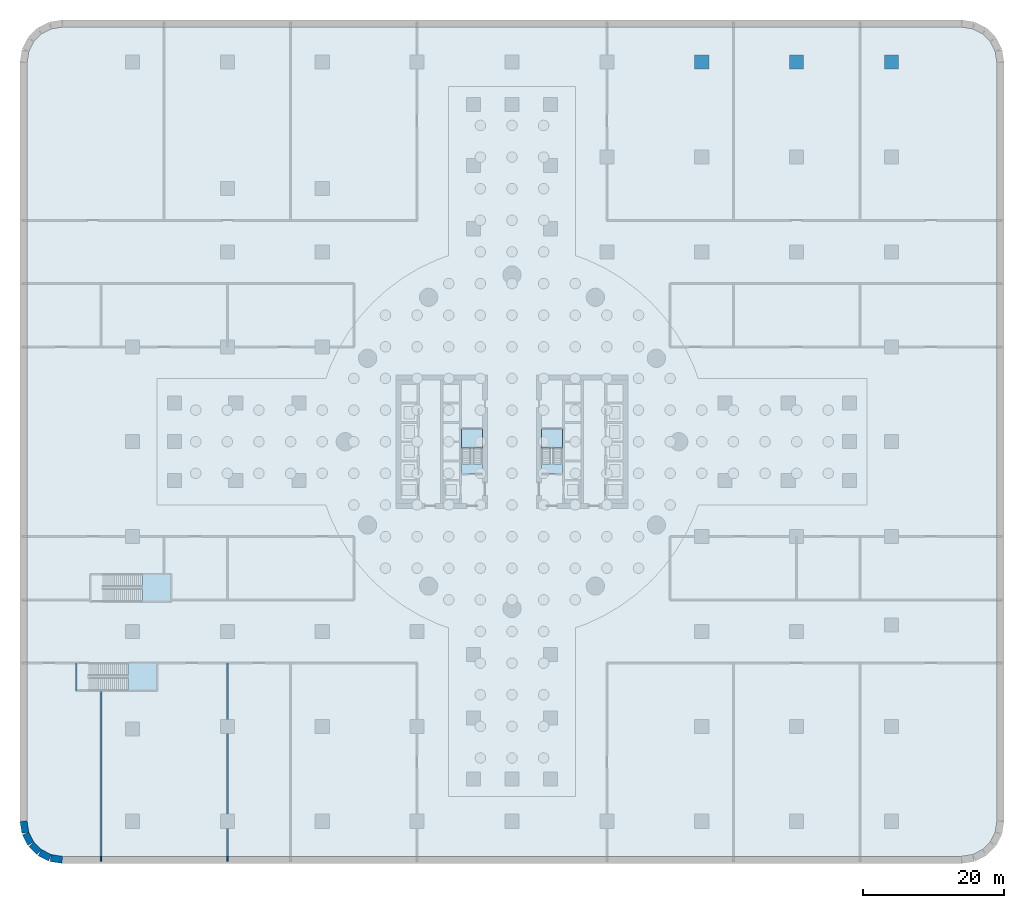
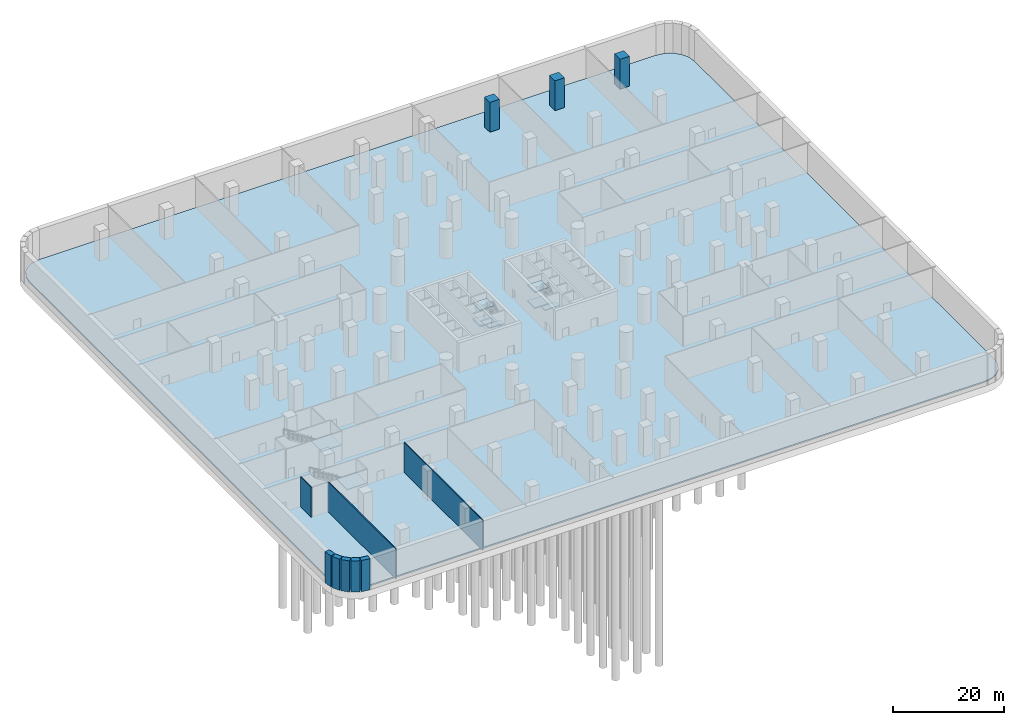
# One storey, part 2 of 13: 9 slabs, 8 walls, 3 columns, 4 elements without a shape of their own.
"""IFC4 building model written with IfcOpenShell, lengths in metres."""

import ifcopenshell
import ifcopenshell.guid

model = None  # the IFC model being written
_history = None  # IfcOwnerHistory: only IFC2X3 demands one
_inside = {}  # id of a spatial element -> (the spatial element, [elements in it])
_under = {}  # id of a project, library or spatial element -> (it, [spatial elements below it])
_declared = {}  # id of a project -> (the project, [libraries it declares])
_typed = {}  # id of a type object -> (the type object, [elements of that type])
_made_of = {}  # id of a material, layer set ... -> (it, [elements and type objects made of it])


def new_model(schema):
    """Start an empty IFC model of exactly this schema.

    Asked for "IFC4X3", IfcOpenShell would pick the latest addendum, in which some entities
    have other attributes; the version numbers below select the first issue.
    IFC2X3 requires an IfcOwnerHistory on every rooted entity: one is made here for all.
    """
    global model, _history
    if schema == "IFC4X3":
        model = ifcopenshell.file(schema_version=(4, 3, 0, 0))
    else:
        model = ifcopenshell.file(schema=schema)
    _inside.clear()
    _under.clear()
    _declared.clear()
    _typed.clear()
    _made_of.clear()
    _history = None
    if model.schema == "IFC2X3":
        org = make("IfcOrganization", Name="unknown")
        user = make(
            "IfcPersonAndOrganization",
            ThePerson=make("IfcPerson", FamilyName="unknown"),
            TheOrganization=org,
        )
        app = make(
            "IfcApplication",
            ApplicationDeveloper=org,
            Version="unknown",
            ApplicationFullName="unknown",
            ApplicationIdentifier="unknown",
        )
        _history = make(
            "IfcOwnerHistory",
            OwningUser=user,
            OwningApplication=app,
            ChangeAction="ADDED",
            CreationDate=0,
        )
    return model


def make(cls, **values):
    """One entity of the class cls with the attributes given. An attribute that is None is left unset."""
    return model.create_entity(
        cls, **{name: value for name, value in values.items() if value is not None}
    )


def rooted(cls, **values):
    """An entity with a GlobalId (a new one), such as an element, a storey or a relation."""
    return make(cls, GlobalId=ifcopenshell.guid.new(), OwnerHistory=_history, **values)


def si_unit(unit_type, name, prefix=None):
    """IfcSIUnit, for example si_unit("LENGTHUNIT", "METRE", prefix="MILLI")."""
    return make("IfcSIUnit", UnitType=unit_type, Prefix=prefix, Name=name)


def assignment(units):
    """IfcUnitAssignment: the units of a project."""
    return None if units is None else make("IfcUnitAssignment", Units=units)


def point(xyz):
    """IfcCartesianPoint."""
    return None if xyz is None else make("IfcCartesianPoint", Coordinates=xyz)


def direction(xyz):
    """IfcDirection."""
    return None if xyz is None else make("IfcDirection", DirectionRatios=xyz)


def frame(location, z_axis=None, x_axis=None):
    """IfcAxis2Placement3D, a coordinate frame: its origin and axes. An axis left out is left unset."""
    return make(
        "IfcAxis2Placement3D",
        Location=point(location),
        Axis=direction(z_axis),
        RefDirection=direction(x_axis),
    )


def frame_2d(location, x_axis=None):
    """IfcAxis2Placement2D, a coordinate frame in the plane: its origin and x axis."""
    return make(
        "IfcAxis2Placement2D", Location=point(location), RefDirection=direction(x_axis)
    )


def origin():
    """The frame at (0, 0, 0) with its axes left unset."""
    return frame((0.0, 0.0, 0.0))


def origin_2d():
    """The frame at (0, 0) in the plane with its x axis left unset."""
    return frame_2d((0.0, 0.0))


def place(relative_to, where):
    """IfcLocalPlacement: puts the frame where relative to a parent placement (None: the world)."""
    return make(
        "IfcLocalPlacement", PlacementRelTo=relative_to, RelativePlacement=where
    )


def context(
    kind, dimensions, precision=None, world=None, true_north=None, identifier=None
):
    """IfcGeometricRepresentationContext, for example the 3D "Model" context."""
    return make(
        "IfcGeometricRepresentationContext",
        ContextIdentifier=identifier,
        ContextType=kind,
        CoordinateSpaceDimension=dimensions,
        Precision=precision,
        WorldCoordinateSystem=world,
        TrueNorth=true_north,
    )


def subcontext(parent, identifier, kind, view, scale=None):
    """IfcGeometricRepresentationSubContext, for example "Body" below "Model"."""
    return make(
        "IfcGeometricRepresentationSubContext",
        ContextIdentifier=identifier,
        ContextType=kind,
        ParentContext=parent,
        TargetScale=scale,
        TargetView=view,
    )


def project(units=None, contexts=None):
    """IfcProject with its units and contexts."""
    return rooted(
        "IfcProject",
        Name="project",
        RepresentationContexts=contexts,
        UnitsInContext=assignment(units),
    )


def spatial(cls, under=None, at=None, **own):
    """A site, building, storey or space (cls), placed at a placement, below another one or the project."""
    s = rooted(cls, ObjectPlacement=at, **own)
    if under is not None:
        _under.setdefault(under.id(), (under, []))[1].append(s)
    return s


def polyline(points):
    """IfcPolyline through the points."""
    return make("IfcPolyline", Points=[point(p) for p in points])


def profile(cls, at=None, kind="AREA", **sizes):
    """A parametric profile (cls). Its sizes go by their IFC names, for example OverallWidth=200.0."""
    return make(cls, ProfileType=kind, Position=at, **sizes)


def rectangle(**sizes):
    """IfcRectangleProfileDef."""
    return profile("IfcRectangleProfileDef", **sizes)


def outline(outer, holes=None, kind="AREA"):
    """IfcArbitraryClosedProfileDef: a profile drawn as a closed curve; with holes, ...WithVoids."""
    if holes is None:
        return make("IfcArbitraryClosedProfileDef", ProfileType=kind, OuterCurve=outer)
    return make(
        "IfcArbitraryProfileDefWithVoids",
        ProfileType=kind,
        OuterCurve=outer,
        InnerCurves=holes,
    )


def extrude(swept, where, along, depth):
    """IfcExtrudedAreaSolid: the profile swept, set in the frame where, extruded along a direction by depth."""
    return make(
        "IfcExtrudedAreaSolid",
        SweptArea=swept,
        Position=where,
        ExtrudedDirection=direction(along),
        Depth=depth,
    )


def shape(context_of_items, identifier, shape_type, items):
    """IfcShapeRepresentation: the items that make up one representation, for example the "Body"."""
    return make(
        "IfcShapeRepresentation",
        ContextOfItems=context_of_items,
        RepresentationIdentifier=identifier,
        RepresentationType=shape_type,
        Items=items,
    )


def material(Name=None, Category=None):
    """IfcMaterial."""
    return make("IfcMaterial", Name=Name, Category=Category)


def layer(
    of_material, thickness, ventilated=None, Name=None, Category=None, Priority=None
):
    """IfcMaterialLayer: one layer of a wall or slab, of a material (None: an air gap)."""
    return make(
        "IfcMaterialLayer",
        Material=of_material,
        LayerThickness=thickness,
        IsVentilated=ventilated,
        Name=Name,
        Category=Category,
        Priority=Priority,
    )


def layer_set(layers, Name=None):
    """IfcMaterialLayerSet."""
    return make("IfcMaterialLayerSet", MaterialLayers=layers, LayerSetName=Name)


def material_profile(
    of_material, cross_section, Name=None, Category=None, Priority=None
):
    """IfcMaterialProfile: a cross section and its material."""
    return make(
        "IfcMaterialProfile",
        Name=Name,
        Material=of_material,
        Profile=cross_section,
        Priority=Priority,
        Category=Category,
    )


def profile_set(profiles, Name=None, composite=None):
    """IfcMaterialProfileSet."""
    return make(
        "IfcMaterialProfileSet",
        Name=Name,
        MaterialProfiles=profiles,
        CompositeProfile=composite,
    )


def made_of(thing, what):
    """Note that an element or type object is made of a material, layer set ...; save() writes the relation."""
    if what is not None:
        _made_of.setdefault(what.id(), (what, []))[1].append(thing)
    return thing


def type_object(cls, material=None, **own):
    """A type object (cls), such as IfcWallType, which elements share."""
    return made_of(rooted(cls, **own), material)


def element(
    cls,
    number,
    at=None,
    inside=None,
    cuts=None,
    type_object=None,
    material=None,
    context=None,
    identifier="Body",
    shape_type=None,
    held_by="IfcProductDefinitionShape",
    body=None,
    shapes=None,
    **own,
):
    """One element of the class cls, such as IfcWall. Its Tag is "e" and its number.

    at: its placement. inside: the storey or other place that contains it. cuts: it is an
    opening in that element (IfcRelVoidsElement). A single representation is given by context,
    identifier, shape_type and body (its items); several are given by shapes. held_by: the class
    of the entity that holds the representations. save() writes the other relations.
    """
    e = rooted(cls, Tag="e%d" % number, ObjectPlacement=at, **own)
    if body is not None:
        shapes = [shape(context, identifier, shape_type, body)]
    if shapes is not None:
        e.Representation = make(held_by, Representations=shapes)
    if inside is not None:
        _inside.setdefault(inside.id(), (inside, []))[1].append(e)
    if cuts is not None:
        rooted(
            "IfcRelVoidsElement", RelatingBuildingElement=cuts, RelatedOpeningElement=e
        )
    if type_object is not None:
        _typed.setdefault(type_object.id(), (type_object, []))[1].append(e)
    return made_of(e, material)


def aggregate(whole, parts):
    """IfcRelAggregates: a whole, such as a stair, and the parts it consists of."""
    return rooted("IfcRelAggregates", RelatingObject=whole, RelatedObjects=parts)


def save(model, path):
    """Write the relations noted so far, then the file.

    IfcRelAggregates (storeys below a building ...), IfcRelContainedInSpatialStructure (elements
    in a storey), IfcRelDefinesByType, IfcRelAssociatesMaterial and IfcRelDeclares: one each for
    every whole, place, type object, material and project.
    """
    for whole, parts in _under.values():
        aggregate(whole, parts)
    for where, things in _inside.values():
        rooted(
            "IfcRelContainedInSpatialStructure",
            RelatedElements=things,
            RelatingStructure=where,
        )
    for kind, things in _typed.values():
        rooted("IfcRelDefinesByType", RelatedObjects=things, RelatingType=kind)
    for what, things in _made_of.values():
        rooted("IfcRelAssociatesMaterial", RelatedObjects=things, RelatingMaterial=what)
    for by, libraries in _declared.values():
        rooted("IfcRelDeclares", RelatingContext=by, RelatedDefinitions=libraries)
    model.write(path)


model = new_model("IFC4")

# Units and contexts
model_context = context("Model", 3, precision=1e-05, world=origin(), true_north=direction((0.0, 1.0)))
body_context = subcontext(model_context, "Body", "Model", "MODEL_VIEW")
ifc_project = project(units=[si_unit("LENGTHUNIT", "METRE"), si_unit("AREAUNIT", "SQUARE_METRE"), si_unit("VOLUMEUNIT", "CUBIC_METRE"), si_unit("PLANEANGLEUNIT", "RADIAN"), si_unit("MASSUNIT", "GRAM", prefix="KILO")], contexts=[model_context])

# Site, building, storey
site_placement = place(None, origin())
site = spatial("IfcSite", under=ifc_project, at=site_placement, CompositionType="ELEMENT")
building_placement = place(site_placement, origin())
building = spatial("IfcBuilding", under=site, at=building_placement, Name="Tamarind Cross Interchange Tower", CompositionType="ELEMENT")
storey_placement = place(building_placement, frame((0.0, 0.0, -21.0)))
storey = spatial("IfcBuildingStorey", under=building, at=storey_placement, Name="B3", CompositionType="ELEMENT", Elevation=-21.0)

# Columns
ifc_material_1 = material(Name="Concrete C70", Category="concrete")
ifc_material_profile = material_profile(ifc_material_1, rectangle(XDim=2.0, YDim=2.0, at=origin_2d()), Name="RC 2000x2000")
ifc_profile_set = profile_set([ifc_material_profile], Name="Concrete C70")
column_type = type_object("IfcColumnType", Name="Column RC 2000x2000 Concrete C70", PredefinedType="COLUMN", material=ifc_profile_set)
for number, where, z_axis, x_axis, name in (
    (1, (27.0, 54.0, -0.300048828125), (0.0, 0.0, 1.0), (1.0, 0.0, 0.0), "Column G38"),
    (2, (40.5, 54.0, -0.300048828125), (0.0, 0.0, 1.0), (1.0, 0.0, 0.0), "Column G45"),
    (3, (54.0, 54.0, -0.300048828125), (0.0, 0.0, 1.0), (1.0, 0.0, 0.0), "Column G54"),
):
    element("IfcColumn", number, at=place(storey_placement, frame(where, z_axis=z_axis, x_axis=x_axis)), inside=storey, type_object=column_type, Name=name, PredefinedType="COLUMN", context=body_context, shape_type="SweptSolid", body=[
        extrude(rectangle(XDim=2.0, YDim=2.0, at=origin_2d()), origin(), (0.0, 0.0, 1.0), 6.85009765625),
    ])

# Slab
ifc_material_2 = material(Name="Concrete C40", Category="concrete")
ifc_layer_1 = layer(ifc_material_2, 0.300048828125)
ifc_layer_set_1 = layer_set([ifc_layer_1], Name="Concrete C40")
slab_type_1 = type_object("IfcSlabType", Name="Post-tensioned flat slab 300 Concrete C40", PredefinedType="BASESLAB", material=ifc_layer_set_1)
slab_1_placement = place(storey_placement, frame((0.0, 0.0, -0.300048828125)))
element("IfcSlab", 4, at=slab_1_placement, inside=storey, type_object=slab_type_1, Name="Floor slab B3", PredefinedType="BASESLAB", context=body_context, shape_type="SweptSolid", body=[
    extrude(outline(polyline([(-63.92138671875, -59.0), (63.92138671875, -59.0), (65.541259765625, -58.743408203125), (66.931640625, -58.034912109375), (68.034912109375, -56.931640625), (68.743408203125, -55.541259765625), (69.0, -53.92138671875), (69.0, 53.92138671875), (68.743408203125, 55.541259765625), (68.034912109375, 56.931640625), (66.931640625, 58.034912109375), (65.541259765625, 58.743408203125), (63.92138671875, 59.0), (-63.92138671875, 59.0), (-65.541259765625, 58.743408203125), (-66.931640625, 58.034912109375), (-68.034912109375, 56.931640625), (-68.743408203125, 55.541259765625), (-69.0, 53.92138671875), (-69.0, -53.92138671875), (-68.743408203125, -55.541259765625), (-68.034912109375, -56.931640625), (-66.931640625, -58.034912109375), (-65.541259765625, -58.743408203125), (-63.92138671875, -59.0)])), origin(), (0.0, 0.0, 1.0), 0.300048828125),
])

# Stair, slab
ifc_material_3 = material(Name="Public stair")
stair_type_1 = type_object("IfcStairType", Name="Public stair", PredefinedType="HALF_TURN_STAIR", material=ifc_material_3)
stair_1_placement = place(storey_placement, origin())
stair_1 = element("IfcStair", 5, at=stair_1_placement, inside=storey, type_object=stair_type_1, Name="B3 exit stair XS-P07", PredefinedType="HALF_TURN_STAIR")
ifc_layer_2 = layer(ifc_material_2, 0.199951171875)
ifc_layer_set_2 = layer_set([ifc_layer_2], Name="Concrete C40")
slab_type_2 = type_object("IfcSlabType", Name="Public stair landing", PredefinedType="LANDING", material=ifc_layer_set_2)
slab_2_placement = place(storey_placement, frame((0.0, 0.0, 3.300048828125)))
slab_2 = element("IfcSlab", 6, at=slab_2_placement, type_object=slab_type_2, Name="XS-P07 landing 1", PredefinedType="LANDING", context=body_context, shape_type="SweptSolid", body=[
    extrude(outline(polyline([(-54.60009765625, -35.39990234375), (-50.5, -35.39990234375), (-50.5, -31.5), (-54.60009765625, -31.5), (-54.60009765625, -35.39990234375)])), origin(), (0.0, 0.0, 1.0), 0.199951171875),
])
aggregate(stair_1, [slab_2])

stair_2_placement = place(storey_placement, origin())
stair_2 = element("IfcStair", 7, at=stair_2_placement, inside=storey, type_object=stair_type_1, Name="B3 exit stair XS-P08", PredefinedType="HALF_TURN_STAIR")
slab_3_placement = place(storey_placement, frame((0.0, 0.0, 3.300048828125)))
slab_3 = element("IfcSlab", 8, at=slab_3_placement, type_object=slab_type_2, Name="XS-P08 landing 1", PredefinedType="LANDING", context=body_context, shape_type="SweptSolid", body=[
    extrude(outline(polyline([(-52.60009765625, -22.75), (-48.5, -22.75), (-48.5, -18.85009765625), (-52.60009765625, -18.85009765625), (-52.60009765625, -22.75)])), origin(), (0.0, 0.0, 1.0), 0.199951171875),
])
aggregate(stair_2, [slab_3])

# Stair, slabs
ifc_material_4 = material(Name="Exit stair")
stair_type_2 = type_object("IfcStairType", Name="Exit stair", PredefinedType="HALF_TURN_STAIR", material=ifc_material_4)
stair_3_placement = place(storey_placement, origin())
stair_3 = element("IfcStair", 9, at=stair_3_placement, inside=storey, type_object=stair_type_2, Name="B3 exit stair ST1", PredefinedType="HALF_TURN_STAIR")
ifc_layer_3 = layer(ifc_material_2, 0.199951171875)
ifc_layer_set_3 = layer_set([ifc_layer_3], Name="Concrete C40")
slab_type_3 = type_object("IfcSlabType", Name="Stair landing", PredefinedType="LANDING", material=ifc_layer_set_3)
slab_4_placement = place(storey_placement, frame((0.0, 0.0, 1.550048828125)))
slab_4 = element("IfcSlab", 10, at=slab_4_placement, type_object=slab_type_3, Name="ST1 landing 1", PredefinedType="LANDING", context=body_context, shape_type="SweptSolid", body=[
    extrude(outline(polyline([(-4.199951171875, -0.860107421875), (-4.199951171875, 1.800048828125), (-7.14990234375, 1.800048828125), (-7.14990234375, -0.860107421875), (-4.199951171875, -0.860107421875)])), origin(), (0.0, 0.0, 1.0), 0.199951171875),
])
slab_5_placement = place(storey_placement, frame((0.0, 0.0, 3.300048828125)))
slab_5 = element("IfcSlab", 11, at=slab_5_placement, type_object=slab_type_3, Name="ST1 landing 2", PredefinedType="LANDING", context=body_context, shape_type="SweptSolid", body=[
    extrude(outline(polyline([(-4.199951171875, -4.5), (-4.199951171875, -3.199951171875), (-7.14990234375, -3.199951171875), (-7.14990234375, -4.5), (-4.199951171875, -4.5)])), origin(), (0.0, 0.0, 1.0), 0.199951171875),
])
slab_6_placement = place(storey_placement, frame((0.0, 0.0, 5.050048828125)))
slab_6 = element("IfcSlab", 12, at=slab_6_placement, type_object=slab_type_3, Name="ST1 landing 3", PredefinedType="LANDING", context=body_context, shape_type="SweptSolid", body=[
    extrude(outline(polyline([(-4.199951171875, -0.860107421875), (-4.199951171875, 1.800048828125), (-7.14990234375, 1.800048828125), (-7.14990234375, -0.860107421875), (-4.199951171875, -0.860107421875)])), origin(), (0.0, 0.0, 1.0), 0.199951171875),
])
aggregate(stair_3, [slab_4, slab_5, slab_6])

stair_4_placement = place(storey_placement, origin())
stair_4 = element("IfcStair", 13, at=stair_4_placement, inside=storey, type_object=stair_type_2, Name="B3 exit stair ST2", PredefinedType="HALF_TURN_STAIR")
slab_7_placement = place(storey_placement, frame((0.0, 0.0, 1.550048828125)))
slab_7 = element("IfcSlab", 14, at=slab_7_placement, type_object=slab_type_3, Name="ST2 landing 1", PredefinedType="LANDING", context=body_context, shape_type="SweptSolid", body=[
    extrude(outline(polyline([(7.14990234375, -0.860107421875), (7.14990234375, 1.800048828125), (4.199951171875, 1.800048828125), (4.199951171875, -0.860107421875), (7.14990234375, -0.860107421875)])), origin(), (0.0, 0.0, 1.0), 0.199951171875),
])
slab_8_placement = place(storey_placement, frame((0.0, 0.0, 3.300048828125)))
slab_8 = element("IfcSlab", 15, at=slab_8_placement, type_object=slab_type_3, Name="ST2 landing 2", PredefinedType="LANDING", context=body_context, shape_type="SweptSolid", body=[
    extrude(outline(polyline([(7.14990234375, -4.5), (7.14990234375, -3.199951171875), (4.199951171875, -3.199951171875), (4.199951171875, -4.5), (7.14990234375, -4.5)])), origin(), (0.0, 0.0, 1.0), 0.199951171875),
])
slab_9_placement = place(storey_placement, frame((0.0, 0.0, 5.050048828125)))
slab_9 = element("IfcSlab", 16, at=slab_9_placement, type_object=slab_type_3, Name="ST2 landing 3", PredefinedType="LANDING", context=body_context, shape_type="SweptSolid", body=[
    extrude(outline(polyline([(7.14990234375, -0.860107421875), (7.14990234375, 1.800048828125), (4.199951171875, 1.800048828125), (4.199951171875, -0.860107421875), (7.14990234375, -0.860107421875)])), origin(), (0.0, 0.0, 1.0), 0.199951171875),
])
aggregate(stair_4, [slab_7, slab_8, slab_9])

# Walls
ifc_layer_4 = layer(ifc_material_2, 1.0)
ifc_layer_set_4 = layer_set([ifc_layer_4], Name="Concrete C40")
wall_type_1 = type_object("IfcWallType", Name="Basement wall 1000 Concrete C40", PredefinedType="SOLIDWALL", material=ifc_layer_set_4)
wall_1_placement = place(storey_placement, frame((-63.989501953125, -59.495361328125, -0.300048828125), z_axis=(0.0, 0.0, 1.0), x_axis=(-0.987688946427, 0.156430639922, 0.0)))
element("IfcWall", 17, at=wall_1_placement, inside=storey, type_object=wall_type_1, Name="Basement wall B3-2", PredefinedType="SOLIDWALL", context=body_context, shape_type="SweptSolid", body=[
    extrude(rectangle(XDim=1.66064453125, YDim=1.0, at=frame_2d((0.830322265625, 0.0))), origin(), (0.0, 0.0, 1.0), 6.85009765625),
])
for number, where, z_axis, x_axis, name in (
    (18, (-65.759033203125, -59.193603515625, -0.300048828125), (0.0, 0.0, 1.0), (-0.891004140764, 0.453995177443, 0.0), "Basement wall B3-3"),
    (19, (-67.27783203125, -58.395751953125, -0.300048828125), (0.0, 0.0, 1.0), (-0.707106781187, 0.707106781187, 0.0), "Basement wall B3-4"),
    (20, (-68.475830078125, -57.167724609375, -0.300048828125), (0.0, 0.0, 1.0), (-0.453995177443, 0.891004140764, 0.0), "Basement wall B3-5"),
):
    element("IfcWall", number, at=place(storey_placement, frame(where, z_axis=z_axis, x_axis=x_axis)), inside=storey, type_object=wall_type_1, Name=name, PredefinedType="SOLIDWALL", context=body_context, shape_type="SweptSolid", body=[
        extrude(rectangle(XDim=1.5810546875, YDim=1.0, at=frame_2d((0.79052734375, 0.0))), origin(), (0.0, 0.0, 1.0), 6.85009765625),
    ])
wall_2_placement = place(storey_placement, frame((-69.235595703125, -55.629638671875, -0.300048828125), z_axis=(0.0, 0.0, 1.0), x_axis=(-0.156430639922, 0.987688946427, 0.0)))
element("IfcWall", 21, at=wall_2_placement, inside=storey, type_object=wall_type_1, Name="Basement wall B3-6", PredefinedType="SOLIDWALL", context=body_context, shape_type="SweptSolid", body=[
    extrude(rectangle(XDim=1.66064453125, YDim=1.0, at=frame_2d((0.830322265625, 0.0))), origin(), (0.0, 0.0, 1.0), 6.85009765625),
])
ifc_material_5 = material(Name="Masonry partition, fire-rated", Category="masonry")
ifc_layer_5 = layer(ifc_material_5, 0.199951171875)
ifc_layer_set_5 = layer_set([ifc_layer_5], Name="Masonry partition, fire-rated")
wall_type_2 = type_object("IfcWallType", Name="Fire partition 200 EI 120", PredefinedType="PARTITIONING", material=ifc_layer_set_5)
wall_3_placement = place(storey_placement, frame((-58.5, -59.698974609375, 0.0), z_axis=(0.0, 0.0, 1.0), x_axis=(0.0, 1.0, 0.0)))
element("IfcWall", 22, at=wall_3_placement, inside=storey, type_object=wall_type_2, Name="B3 partition 15", PredefinedType="PARTITIONING", context=body_context, shape_type="SweptSolid", body=[
    extrude(rectangle(XDim=24.26904296875, YDim=0.199951171875, at=frame_2d((12.134521484375, 0.0))), origin(), (0.0, 0.0, 1.0), 6.550048828125),
])
wall_4_placement = place(storey_placement, frame((-40.5, -59.698974609375, 0.0), z_axis=(0.0, 0.0, 1.0), x_axis=(0.0, 1.0, 0.0)))
element("IfcWall", 23, at=wall_4_placement, inside=storey, type_object=wall_type_2, Name="B3 partition 21", PredefinedType="PARTITIONING", context=body_context, shape_type="SweptSolid", body=[
    extrude(rectangle(XDim=28.198974609375, YDim=0.199951171875, at=frame_2d((14.099609375, 0.0))), origin(), (0.0, 0.0, 1.0), 6.550048828125),
])
ifc_layer_6 = layer(ifc_material_2, 0.199951171875)
ifc_layer_set_6 = layer_set([ifc_layer_6], Name="Concrete C40")
wall_type_3 = type_object("IfcWallType", Name="Stair shaft wall 200 EI 180", PredefinedType="PARTITIONING", material=ifc_layer_set_6)
wall_5_placement = place(storey_placement, frame((-62.0, -35.39990234375, 0.0), z_axis=(0.0, 0.0, 1.0), x_axis=(0.0, 1.0, 0.0)))
element("IfcWall", 24, at=wall_5_placement, inside=storey, type_object=wall_type_3, Name="B3 stair shaft wall 4", PredefinedType="PARTITIONING", context=body_context, shape_type="SweptSolid", body=[
    extrude(rectangle(XDim=3.89990234375, YDim=0.199951171875, at=frame_2d((1.949951171875, 0.0))), origin(), (0.0, 0.0, 1.0), 6.550048828125),
])

save(model, "model.ifc")
